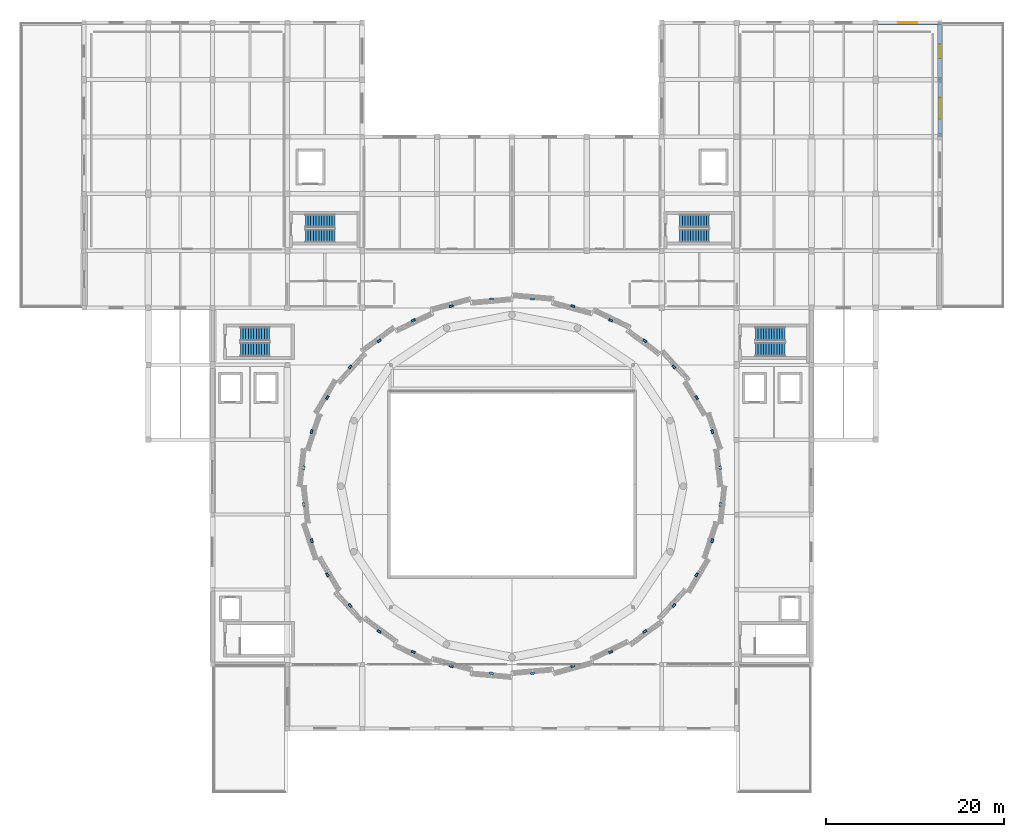
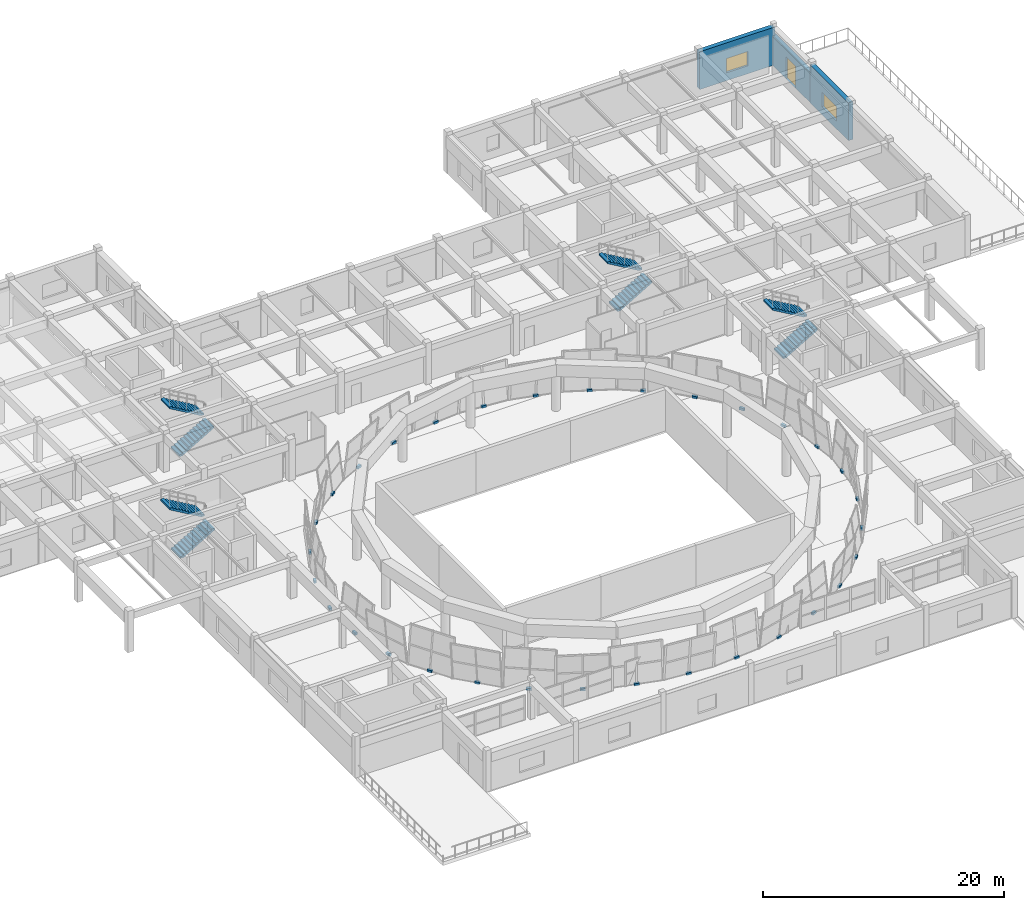
# One storey, part 33 of 40: 32 discrete accessories, 8 stair flights, 3 walls, 2 windows, 1 door, 3 openings, 4 elements without a shape of their own.
"""IFC4 building model written with IfcOpenShell, lengths in metres."""

from ifc_helpers import new_model, si_unit, direction, frame, frame_2d, origin, origin_2d, place, context, subcontext, project, spatial, polyline, rectangle, outline, extrude, material, layer, layer_set, type_object, element, fill, aggregate, save


model = new_model("IFC4")

# Units and contexts
model_context = context("Model", 3, precision=1e-05, world=origin(), true_north=direction((0.0, 1.0)))
body_context = subcontext(model_context, "Body", "Model", "MODEL_VIEW")
ifc_project = project(units=[si_unit("LENGTHUNIT", "METRE"), si_unit("AREAUNIT", "SQUARE_METRE"), si_unit("VOLUMEUNIT", "CUBIC_METRE"), si_unit("PLANEANGLEUNIT", "RADIAN"), si_unit("MASSUNIT", "GRAM", prefix="KILO")], contexts=[model_context])

# Site, building, storey
site_placement = place(None, origin())
site = spatial("IfcSite", under=ifc_project, at=site_placement, CompositionType="ELEMENT")
building_placement = place(site_placement, origin())
building = spatial("IfcBuilding", under=site, at=building_placement, Name="Korsvaeld Concert Hall", CompositionType="ELEMENT")
storey_placement = place(building_placement, frame((0.0, 0.0, 13.199951171875)))
storey = spatial("IfcBuildingStorey", under=building, at=storey_placement, Name="L03", CompositionType="ELEMENT", Elevation=13.199951171875)

# Wall, opening, door
ifc_material_1 = material(Name="Obernkirchener buff sandstone rainscreen on Concrete C35/45", Category="masonry")
ifc_layer_1 = layer(ifc_material_1, 0.389892578125)
ifc_layer_set_1 = layer_set([ifc_layer_1], Name="Obernkirchener buff sandstone rainscreen on Concrete C35/45")
wall_type_1 = type_object("IfcWallType", Name="WL-EXT-BUFF-390", PredefinedType="STANDARD", material=ifc_layer_set_1)
wall_1_placement = place(storey_placement, frame((132.0, 115.199951171875, 0.0), z_axis=(0.0, 0.0, 1.0), x_axis=(0.0, -1.0, 0.0)))
wall_1 = element("IfcWall", 1, at=wall_1_placement, inside=storey, type_object=wall_type_1, Name="Exterior sandstone wall L03-313", PredefinedType="STANDARD", context=body_context, shape_type="SweptSolid", body=[
    extrude(rectangle(XDim=6.39990234375, YDim=0.389892578125, at=frame_2d((3.199951171875, 0.0))), origin(), (0.0, 0.0, 1.0), 2.989990234375),
])
opening_1_placement = place(wall_1_placement, frame((2.39990234375, 0.0, 0.0)))
opening_1 = element("IfcOpeningElement", 2, at=opening_1_placement, cuts=wall_1, Name="Opening TD-02", PredefinedType="OPENING", context=body_context, shape_type="SweptSolid", body=[
    extrude(rectangle(XDim=1.60009765625, YDim=2.199951171875, at=frame_2d((0.800048828125, 1.10009765625))), frame((0.0, 0.205078125, 0.0), z_axis=(0.0, -1.0, 0.0), x_axis=(1.0, 0.0, 0.0)), (0.0, 0.0, 1.0), 0.409912109375),
])
ifc_material_2 = material(Name="Anodised bronze terrace door")
door_type = type_object("IfcDoorType", Name="DR-TER-160x220", OperationType="DOUBLE_DOOR_SINGLE_SWING", PredefinedType="DOOR", material=ifc_material_2)
door_placement = place(opening_1_placement, frame((1.60009765625, 0.0, 0.0), z_axis=(0.0, 0.0, 1.0), x_axis=(-1.0, 0.0, 0.0)))
door = element("IfcDoor", 3, at=door_placement, inside=storey, type_object=door_type, Name="Roof-garden terrace access door TER_L03_NE", OperationType="DOUBLE_DOOR_SINGLE_SWING", OverallHeight=2.199951171875, OverallWidth=1.60009765625, PredefinedType="DOOR", context=body_context, shape_type="SweptSolid", body=[
    extrude(rectangle(XDim=1.60009765625, YDim=2.199951171875, at=frame_2d((0.800048828125, 1.10009765625))), frame((0.0, 0.02490234375, 0.0), z_axis=(0.0, -1.0, 0.0), x_axis=(1.0, 0.0, 0.0)), (0.0, 0.0, 1.0), 0.050048828125),
])
fill(opening_1, door)

# Wall, opening, window
ifc_material_3 = material(Name="Bornholm Nexo rose-red sandstone rainscreen on Concrete C35/45", Category="masonry")
ifc_layer_2 = layer(ifc_material_3, 0.419921875)
ifc_layer_set_2 = layer_set([ifc_layer_2], Name="Bornholm Nexo rose-red sandstone rainscreen on Concrete C35/45")
wall_type_2 = type_object("IfcWallType", Name="WL-EXT-NEXO-420", PredefinedType="STANDARD", material=ifc_layer_set_2)
wall_2_placement = place(storey_placement, frame((124.800048828125, 115.199951171875, 0.0), z_axis=(0.0, 0.0, 1.0), x_axis=(1.0, 0.0, 0.0)))
wall_2 = element("IfcWall", 4, at=wall_2_placement, inside=storey, type_object=wall_type_2, Name="Exterior sandstone wall L03-312", PredefinedType="STANDARD", context=body_context, shape_type="SweptSolid", body=[
    extrude(rectangle(XDim=7.199951171875, YDim=0.419921875, at=frame_2d((3.60009765625, 0.0))), origin(), (0.0, 0.0, 1.0), 3.840087890625),
])
opening_2_placement = place(wall_2_placement, frame((2.550048828125, 0.0, 0.800048828125)))
opening_2 = element("IfcOpeningElement", 5, at=opening_2_placement, cuts=wall_2, Name="Opening WN-09", PredefinedType="OPENING", context=body_context, shape_type="SweptSolid", body=[
    extrude(rectangle(XDim=2.10009765625, YDim=1.449951171875, at=frame_2d((1.050048828125, 0.72509765625))), frame((0.0, 0.219970703125, 0.0), z_axis=(0.0, -1.0, 0.0), x_axis=(1.0, 0.0, 0.0)), (0.0, 0.0, 1.0), 0.43994140625),
])
ifc_material_4 = material(Name="Anodised bronze frame with acoustic triple glazing", Category="glass")
window_type_1 = type_object("IfcWindowType", Name="WIN-AC-210x145", PartitioningType="SINGLE_PANEL", PredefinedType="WINDOW", material=ifc_material_4)
window_1_placement = place(opening_2_placement, origin())
window_1 = element("IfcWindow", 6, at=window_1_placement, inside=storey, type_object=window_type_1, Name="Acoustic triple-glazed window L03-207", OverallHeight=1.449951171875, OverallWidth=2.10009765625, PartitioningType="SINGLE_PANEL", PredefinedType="WINDOW", context=body_context, shape_type="SweptSolid", body=[
    extrude(rectangle(XDim=2.10009765625, YDim=1.449951171875, at=frame_2d((1.050048828125, 0.72509765625))), frame((0.0, 0.030029296875, 0.0), z_axis=(0.0, -1.0, 0.0), x_axis=(1.0, 0.0, 0.0)), (0.0, 0.0, 1.0), 0.06005859375),
])
fill(opening_2, window_1)

wall_3_placement = place(storey_placement, frame((132.0, 108.800048828125, 0.0), z_axis=(0.0, 0.0, 1.0), x_axis=(0.0, -1.0, 0.0)))
wall_3 = element("IfcWall", 7, at=wall_3_placement, inside=storey, type_object=wall_type_2, Name="Exterior sandstone wall L03-314", PredefinedType="STANDARD", context=body_context, shape_type="SweptSolid", body=[
    extrude(rectangle(XDim=6.400146484375, YDim=0.419921875, at=frame_2d((3.2001953125, 0.0))), origin(), (0.0, 0.0, 1.0), 3.840087890625),
])
opening_3_placement = place(wall_3_placement, frame((2.0, 0.0, 0.800048828125)))
opening_3 = element("IfcOpeningElement", 8, at=opening_3_placement, cuts=wall_3, Name="Opening WN-10", PredefinedType="OPENING", context=body_context, shape_type="SweptSolid", body=[
    extrude(rectangle(XDim=2.39990234375, YDim=1.449951171875, at=frame_2d((1.199951171875, 0.72509765625))), frame((0.0, 0.219970703125, 0.0), z_axis=(0.0, -1.0, 0.0), x_axis=(1.0, 0.0, 0.0)), (0.0, 0.0, 1.0), 0.43994140625),
])
window_type_2 = type_object("IfcWindowType", Name="WIN-AC-240x145", PartitioningType="TRIPLE_PANEL_VERTICAL", PredefinedType="WINDOW", material=ifc_material_4)
window_2_placement = place(opening_3_placement, origin())
window_2 = element("IfcWindow", 9, at=window_2_placement, inside=storey, type_object=window_type_2, Name="Acoustic triple-glazed window L03-208", OverallHeight=1.449951171875, OverallWidth=2.39990234375, PartitioningType="TRIPLE_PANEL_VERTICAL", PredefinedType="WINDOW", context=body_context, shape_type="SweptSolid", body=[
    extrude(rectangle(XDim=2.39990234375, YDim=1.449951171875, at=frame_2d((1.199951171875, 0.72509765625))), frame((0.0, 0.030029296875, 0.0), z_axis=(0.0, -1.0, 0.0), x_axis=(1.0, 0.0, 0.0)), (0.0, 0.0, 1.0), 0.06005859375),
])
fill(opening_3, window_2)

# Stair, stair flights
ifc_material_5 = material(Name="Precast concrete C40/50", Category="concrete")
stair_type_1 = type_object("IfcStairType", Name="STR-HT-145-42", PredefinedType="HALF_TURN_STAIR", material=ifc_material_5)
stair_1_placement = place(storey_placement, origin())
stair_1 = element("IfcStair", 10, at=stair_1_placement, inside=storey, type_object=stair_type_1, Name="L03 ST-K5", PredefinedType="HALF_TURN_STAIR")
stair_flight_type_1 = type_object("IfcStairFlightType", Name="STF-STR-145-42", PredefinedType="STRAIGHT", material=ifc_material_5)
stair_flight_1_placement = place(storey_placement, frame((60.820068359375, 91.294921875, 0.0), z_axis=(0.0, 0.0, 1.0), x_axis=(1.0, 0.0, 0.0)))
stair_flight_1 = element("IfcStairFlight", 11, at=stair_flight_1_placement, type_object=stair_flight_type_1, Name="ST-K5 flight 1", NumberOfRisers=12, NumberOfTreads=11, PredefinedType="STRAIGHT", RiserHeight=0.175, TreadLength=0.3, context=body_context, shape_type="SweptSolid", body=[
    extrude(outline(polyline([(0.0, 0.0), (0.0, 0.175048828125), (0.300048828125, 0.175048828125), (0.300048828125, 0.35009765625), (0.60009765625, 0.35009765625), (0.60009765625, 0.52490234375), (0.89990234375, 0.52490234375), (0.89990234375, 0.699951171875), (1.199951171875, 0.699951171875), (1.199951171875, 0.875), (1.5, 0.875), (1.5, 1.050048828125), (1.800048828125, 1.050048828125), (1.800048828125, 1.22509765625), (2.10009765625, 1.22509765625), (2.10009765625, 1.39990234375), (2.39990234375, 1.39990234375), (2.39990234375, 1.574951171875), (2.699951171875, 1.574951171875), (2.699951171875, 1.75), (3.0, 1.75), (3.0, 1.925048828125), (3.300048828125, 1.925048828125), (3.300048828125, 2.10009765625), (3.300048828125, 1.75146484375), (0.297607421875, 0.0), (0.0, 0.0)])), frame((0.0, 0.72509765625, 0.0), z_axis=(0.0, -1.0, 0.0), x_axis=(1.0, 0.0, 0.0)), (0.0, 0.0, 1.0), 1.449951171875),
])
stair_flight_2_placement = place(storey_placement, frame((64.1201171875, 92.945068359375, 2.10009765625), z_axis=(0.0, 0.0, 1.0), x_axis=(-1.0, 0.0, 0.0)))
stair_flight_2 = element("IfcStairFlight", 12, at=stair_flight_2_placement, type_object=stair_flight_type_1, Name="ST-K5 flight 2", NumberOfRisers=12, NumberOfTreads=11, PredefinedType="STRAIGHT", RiserHeight=0.175, TreadLength=0.3, context=body_context, shape_type="SweptSolid", body=[
    extrude(outline(polyline([(0.0, 0.0), (0.0, 0.175048828125), (0.300048828125, 0.175048828125), (0.300048828125, 0.35009765625), (0.60009765625, 0.35009765625), (0.60009765625, 0.52490234375), (0.89990234375, 0.52490234375), (0.89990234375, 0.699951171875), (1.199951171875, 0.699951171875), (1.199951171875, 0.875), (1.5, 0.875), (1.5, 1.050048828125), (1.800048828125, 1.050048828125), (1.800048828125, 1.22509765625), (2.10009765625, 1.22509765625), (2.10009765625, 1.39990234375), (2.39990234375, 1.39990234375), (2.39990234375, 1.574951171875), (2.699951171875, 1.574951171875), (2.699951171875, 1.75), (3.0, 1.75), (3.0, 1.925048828125), (3.300048828125, 1.925048828125), (3.300048828125, 2.10009765625), (3.300048828125, 1.75146484375), (0.297607421875, 0.0), (0.0, 0.0)])), frame((0.0, 0.72509765625, 0.0), z_axis=(0.0, -1.0, 0.0), x_axis=(1.0, 0.0, 0.0)), (0.0, 0.0, 1.0), 1.449951171875),
])
aggregate(stair_1, [stair_flight_1, stair_flight_2])

stair_2_placement = place(storey_placement, origin())
stair_2 = element("IfcStair", 13, at=stair_2_placement, inside=storey, type_object=stair_type_1, Name="L03 ST-K6", PredefinedType="HALF_TURN_STAIR")
stair_flight_3_placement = place(storey_placement, frame((102.820068359375, 91.294921875, 0.0), z_axis=(0.0, 0.0, 1.0), x_axis=(1.0, 0.0, 0.0)))
stair_flight_3 = element("IfcStairFlight", 14, at=stair_flight_3_placement, type_object=stair_flight_type_1, Name="ST-K6 flight 1", NumberOfRisers=12, NumberOfTreads=11, PredefinedType="STRAIGHT", RiserHeight=0.175, TreadLength=0.3, context=body_context, shape_type="SweptSolid", body=[
    extrude(outline(polyline([(0.0, 0.0), (0.0, 0.175048828125), (0.300048828125, 0.175048828125), (0.300048828125, 0.35009765625), (0.60009765625, 0.35009765625), (0.60009765625, 0.52490234375), (0.89990234375, 0.52490234375), (0.89990234375, 0.699951171875), (1.199951171875, 0.699951171875), (1.199951171875, 0.875), (1.5, 0.875), (1.5, 1.050048828125), (1.800048828125, 1.050048828125), (1.800048828125, 1.22509765625), (2.10009765625, 1.22509765625), (2.10009765625, 1.39990234375), (2.39990234375, 1.39990234375), (2.39990234375, 1.574951171875), (2.699951171875, 1.574951171875), (2.699951171875, 1.75), (3.0, 1.75), (3.0, 1.925048828125), (3.300048828125, 1.925048828125), (3.300048828125, 2.10009765625), (3.300048828125, 1.75146484375), (0.297607421875, 0.0), (0.0, 0.0)])), frame((0.0, 0.72509765625, 0.0), z_axis=(0.0, -1.0, 0.0), x_axis=(1.0, 0.0, 0.0)), (0.0, 0.0, 1.0), 1.449951171875),
])
stair_flight_4_placement = place(storey_placement, frame((106.1201171875, 92.945068359375, 2.10009765625), z_axis=(0.0, 0.0, 1.0), x_axis=(-1.0, 0.0, 0.0)))
stair_flight_4 = element("IfcStairFlight", 15, at=stair_flight_4_placement, type_object=stair_flight_type_1, Name="ST-K6 flight 2", NumberOfRisers=12, NumberOfTreads=11, PredefinedType="STRAIGHT", RiserHeight=0.175, TreadLength=0.3, context=body_context, shape_type="SweptSolid", body=[
    extrude(outline(polyline([(0.0, 0.0), (0.0, 0.175048828125), (0.300048828125, 0.175048828125), (0.300048828125, 0.35009765625), (0.60009765625, 0.35009765625), (0.60009765625, 0.52490234375), (0.89990234375, 0.52490234375), (0.89990234375, 0.699951171875), (1.199951171875, 0.699951171875), (1.199951171875, 0.875), (1.5, 0.875), (1.5, 1.050048828125), (1.800048828125, 1.050048828125), (1.800048828125, 1.22509765625), (2.10009765625, 1.22509765625), (2.10009765625, 1.39990234375), (2.39990234375, 1.39990234375), (2.39990234375, 1.574951171875), (2.699951171875, 1.574951171875), (2.699951171875, 1.75), (3.0, 1.75), (3.0, 1.925048828125), (3.300048828125, 1.925048828125), (3.300048828125, 2.10009765625), (3.300048828125, 1.75146484375), (0.297607421875, 0.0), (0.0, 0.0)])), frame((0.0, 0.72509765625, 0.0), z_axis=(0.0, -1.0, 0.0), x_axis=(1.0, 0.0, 0.0)), (0.0, 0.0, 1.0), 1.449951171875),
])
aggregate(stair_2, [stair_flight_3, stair_flight_4])

stair_type_2 = type_object("IfcStairType", Name="STR-HT-155-42", PredefinedType="HALF_TURN_STAIR", material=ifc_material_5)
stair_3_placement = place(storey_placement, origin())
stair_3 = element("IfcStair", 16, at=stair_3_placement, inside=storey, type_object=stair_type_2, Name="L03 ST-K1", PredefinedType="HALF_TURN_STAIR")
stair_flight_type_2 = type_object("IfcStairFlightType", Name="STF-STR-155-42", PredefinedType="STRAIGHT", material=ifc_material_5)
stair_flight_5_placement = place(storey_placement, frame((53.52001953125, 78.544921875, 0.0), z_axis=(0.0, 0.0, 1.0), x_axis=(1.0, 0.0, 0.0)))
stair_flight_5 = element("IfcStairFlight", 17, at=stair_flight_5_placement, type_object=stair_flight_type_2, Name="ST-K1 flight 1", NumberOfRisers=12, NumberOfTreads=11, PredefinedType="STRAIGHT", RiserHeight=0.175, TreadLength=0.3, context=body_context, shape_type="SweptSolid", body=[
    extrude(outline(polyline([(0.0, 0.0), (0.0, 0.175048828125), (0.300048828125, 0.175048828125), (0.300048828125, 0.35009765625), (0.60009765625, 0.35009765625), (0.60009765625, 0.52490234375), (0.89990234375, 0.52490234375), (0.89990234375, 0.699951171875), (1.199951171875, 0.699951171875), (1.199951171875, 0.875), (1.5, 0.875), (1.5, 1.050048828125), (1.800048828125, 1.050048828125), (1.800048828125, 1.22509765625), (2.10009765625, 1.22509765625), (2.10009765625, 1.39990234375), (2.39990234375, 1.39990234375), (2.39990234375, 1.574951171875), (2.699951171875, 1.574951171875), (2.699951171875, 1.75), (3.0, 1.75), (3.0, 1.925048828125), (3.300048828125, 1.925048828125), (3.300048828125, 2.10009765625), (3.300048828125, 1.75146484375), (0.297607421875, 0.0), (0.0, 0.0)])), frame((0.0, 0.77490234375, 0.0), z_axis=(0.0, -1.0, 0.0), x_axis=(1.0, 0.0, 0.0)), (0.0, 0.0, 1.0), 1.550048828125),
])
stair_flight_6_placement = place(storey_placement, frame((56.820068359375, 80.294921875, 2.10009765625), z_axis=(0.0, 0.0, 1.0), x_axis=(-1.0, 0.0, 0.0)))
stair_flight_6 = element("IfcStairFlight", 18, at=stair_flight_6_placement, type_object=stair_flight_type_2, Name="ST-K1 flight 2", NumberOfRisers=12, NumberOfTreads=11, PredefinedType="STRAIGHT", RiserHeight=0.175, TreadLength=0.3, context=body_context, shape_type="SweptSolid", body=[
    extrude(outline(polyline([(0.0, 0.0), (0.0, 0.175048828125), (0.300048828125, 0.175048828125), (0.300048828125, 0.35009765625), (0.60009765625, 0.35009765625), (0.60009765625, 0.52490234375), (0.89990234375, 0.52490234375), (0.89990234375, 0.699951171875), (1.199951171875, 0.699951171875), (1.199951171875, 0.875), (1.5, 0.875), (1.5, 1.050048828125), (1.800048828125, 1.050048828125), (1.800048828125, 1.22509765625), (2.10009765625, 1.22509765625), (2.10009765625, 1.39990234375), (2.39990234375, 1.39990234375), (2.39990234375, 1.574951171875), (2.699951171875, 1.574951171875), (2.699951171875, 1.75), (3.0, 1.75), (3.0, 1.925048828125), (3.300048828125, 1.925048828125), (3.300048828125, 2.10009765625), (3.300048828125, 1.75146484375), (0.297607421875, 0.0), (0.0, 0.0)])), frame((0.0, 0.77490234375, 0.0), z_axis=(0.0, -1.0, 0.0), x_axis=(1.0, 0.0, 0.0)), (0.0, 0.0, 1.0), 1.550048828125),
])
aggregate(stair_3, [stair_flight_5, stair_flight_6])

stair_4_placement = place(storey_placement, origin())
stair_4 = element("IfcStair", 19, at=stair_4_placement, inside=storey, type_object=stair_type_2, Name="L03 ST-K2", PredefinedType="HALF_TURN_STAIR")
stair_flight_7_placement = place(storey_placement, frame((111.320068359375, 78.544921875, 0.0), z_axis=(0.0, 0.0, 1.0), x_axis=(1.0, 0.0, 0.0)))
stair_flight_7 = element("IfcStairFlight", 20, at=stair_flight_7_placement, type_object=stair_flight_type_2, Name="ST-K2 flight 1", NumberOfRisers=12, NumberOfTreads=11, PredefinedType="STRAIGHT", RiserHeight=0.175, TreadLength=0.3, context=body_context, shape_type="SweptSolid", body=[
    extrude(outline(polyline([(0.0, 0.0), (0.0, 0.175048828125), (0.300048828125, 0.175048828125), (0.300048828125, 0.35009765625), (0.60009765625, 0.35009765625), (0.60009765625, 0.52490234375), (0.89990234375, 0.52490234375), (0.89990234375, 0.699951171875), (1.199951171875, 0.699951171875), (1.199951171875, 0.875), (1.5, 0.875), (1.5, 1.050048828125), (1.800048828125, 1.050048828125), (1.800048828125, 1.22509765625), (2.10009765625, 1.22509765625), (2.10009765625, 1.39990234375), (2.39990234375, 1.39990234375), (2.39990234375, 1.574951171875), (2.699951171875, 1.574951171875), (2.699951171875, 1.75), (3.0, 1.75), (3.0, 1.925048828125), (3.300048828125, 1.925048828125), (3.300048828125, 2.10009765625), (3.300048828125, 1.75146484375), (0.297607421875, 0.0), (0.0, 0.0)])), frame((0.0, 0.77490234375, 0.0), z_axis=(0.0, -1.0, 0.0), x_axis=(1.0, 0.0, 0.0)), (0.0, 0.0, 1.0), 1.550048828125),
])
stair_flight_8_placement = place(storey_placement, frame((114.6201171875, 80.294921875, 2.10009765625), z_axis=(0.0, 0.0, 1.0), x_axis=(-1.0, 0.0, 0.0)))
stair_flight_8 = element("IfcStairFlight", 21, at=stair_flight_8_placement, type_object=stair_flight_type_2, Name="ST-K2 flight 2", NumberOfRisers=12, NumberOfTreads=11, PredefinedType="STRAIGHT", RiserHeight=0.175, TreadLength=0.3, context=body_context, shape_type="SweptSolid", body=[
    extrude(outline(polyline([(0.0, 0.0), (0.0, 0.175048828125), (0.300048828125, 0.175048828125), (0.300048828125, 0.35009765625), (0.60009765625, 0.35009765625), (0.60009765625, 0.52490234375), (0.89990234375, 0.52490234375), (0.89990234375, 0.699951171875), (1.199951171875, 0.699951171875), (1.199951171875, 0.875), (1.5, 0.875), (1.5, 1.050048828125), (1.800048828125, 1.050048828125), (1.800048828125, 1.22509765625), (2.10009765625, 1.22509765625), (2.10009765625, 1.39990234375), (2.39990234375, 1.39990234375), (2.39990234375, 1.574951171875), (2.699951171875, 1.574951171875), (2.699951171875, 1.75), (3.0, 1.75), (3.0, 1.925048828125), (3.300048828125, 1.925048828125), (3.300048828125, 2.10009765625), (3.300048828125, 1.75146484375), (0.297607421875, 0.0), (0.0, 0.0)])), frame((0.0, 0.77490234375, 0.0), z_axis=(0.0, -1.0, 0.0), x_axis=(1.0, 0.0, 0.0)), (0.0, 0.0, 1.0), 1.550048828125),
])
aggregate(stair_4, [stair_flight_7, stair_flight_8])

# Discrete accessories
ifc_material_6 = material(Name="Steel S355J2", Category="steel")
discrete_accessory_type = type_object("IfcDiscreteAccessoryType", Name="ACC-BRACKET-CW", PredefinedType="BRACKET", material=ifc_material_6)
for number, where, z_axis, x_axis, name in (
    (22, (107.373291015625, 65.267822265625, -0.0400390625), (0.0, 0.0, 1.0), (-0.109040368753, 0.994037322228, 0.0), "Crystal shell base anchor bracket L03 F01"),
    (23, (106.47509765625, 69.324462890625, -0.0400390625), (0.0, 0.0, 1.0), (-0.319951634986, 0.947433876991, 0.0), "Crystal shell base anchor bracket L03 F02"),
    (24, (104.713134765625, 73.1455078125, -0.0400390625), (0.0, 0.0, 1.0), (-0.511293086077, 0.859406411501, 0.0), "Crystal shell base anchor bracket L03 F03"),
    (25, (102.1552734375, 76.58447265625, -0.0400390625), (0.0, 0.0, 1.0), (-0.674431262084, 0.738337641411, 0.0), "Crystal shell base anchor bracket L03 F04"),
    (26, (98.899658203125, 79.5087890625, -0.0400390625), (0.0, 0.0, 1.0), (-0.804893797356, 0.593418886604, 0.0), "Crystal shell base anchor bracket L03 F05"),
    (27, (95.0712890625, 81.806640625, -0.0400390625), (0.0, 0.0, 1.0), (-0.901455117112, 0.43287258152, 0.0), "Crystal shell base anchor bracket L03 F06"),
    (28, (90.817626953125, 83.389404296875, -0.0400390625), (0.0, 0.0, 1.0), (-0.964833216741, 0.262862823299, 0.0), "Crystal shell base anchor bracket L03 F07"),
    (29, (86.302001953125, 84.1962890625, -0.0400390625), (0.0, 0.0, 1.0), (-0.996102882603, 0.088198907417, 0.0), "Crystal shell base anchor bracket L03 F08"),
    (30, (81.697998046875, 84.1962890625, -0.0400390625), (0.0, 0.0, 1.0), (-0.996102882603, -0.088198907417, 0.0), "Crystal shell base anchor bracket L03 F09"),
    (31, (77.182373046875, 83.389404296875, -0.0400390625), (0.0, 0.0, 1.0), (-0.964833216741, -0.262862823299, 0.0), "Crystal shell base anchor bracket L03 F10"),
    (32, (72.9287109375, 81.806640625, -0.0400390625), (0.0, 0.0, 1.0), (-0.901455117112, -0.43287258152, 0.0), "Crystal shell base anchor bracket L03 F11"),
    (33, (69.100341796875, 79.5087890625, -0.0400390625), (0.0, 0.0, 1.0), (-0.804893797356, -0.593418886604, 0.0), "Crystal shell base anchor bracket L03 F12"),
    (34, (65.8447265625, 76.58447265625, -0.0400390625), (0.0, 0.0, 1.0), (-0.674431262084, -0.738337641411, 0.0), "Crystal shell base anchor bracket L03 F13"),
    (35, (63.286865234375, 73.1455078125, -0.0400390625), (0.0, 0.0, 1.0), (-0.511293086077, -0.859406411501, 0.0), "Crystal shell base anchor bracket L03 F14"),
    (36, (61.52490234375, 69.324462890625, -0.0400390625), (0.0, 0.0, 1.0), (-0.319951634986, -0.947433876991, 0.0), "Crystal shell base anchor bracket L03 F15"),
    (37, (60.626708984375, 65.267822265625, -0.0400390625), (0.0, 0.0, 1.0), (-0.109040368753, -0.994037322228, 0.0), "Crystal shell base anchor bracket L03 F16"),
    (38, (60.626708984375, 61.132080078125, -0.0400390625), (0.0, 0.0, 1.0), (0.109040368753, -0.994037322228, 0.0), "Crystal shell base anchor bracket L03 F17"),
    (39, (61.52490234375, 57.07568359375, -0.0400390625), (0.0, 0.0, 1.0), (0.319951634986, -0.947433876991, 0.0), "Crystal shell base anchor bracket L03 F18"),
    (40, (63.286865234375, 53.25439453125, -0.0400390625), (0.0, 0.0, 1.0), (0.511293086077, -0.859406411501, 0.0), "Crystal shell base anchor bracket L03 F19"),
    (41, (65.8447265625, 49.815673828125, -0.0400390625), (0.0, 0.0, 1.0), (0.674431262084, -0.738337641411, 0.0), "Crystal shell base anchor bracket L03 F20"),
    (42, (69.100341796875, 46.89111328125, -0.0400390625), (0.0, 0.0, 1.0), (0.804893797356, -0.593418886604, 0.0), "Crystal shell base anchor bracket L03 F21"),
    (43, (72.9287109375, 44.59326171875, -0.0400390625), (0.0, 0.0, 1.0), (0.901455117112, -0.43287258152, 0.0), "Crystal shell base anchor bracket L03 F22"),
    (44, (77.182373046875, 43.010498046875, -0.0400390625), (0.0, 0.0, 1.0), (0.964833216741, -0.262862823299, 0.0), "Crystal shell base anchor bracket L03 F23"),
    (45, (81.697998046875, 42.20361328125, -0.0400390625), (0.0, 0.0, 1.0), (0.996102882603, -0.088198907417, 0.0), "Crystal shell base anchor bracket L03 F24"),
    (46, (86.302001953125, 42.20361328125, -0.0400390625), (0.0, 0.0, 1.0), (0.996102882603, 0.088198907417, 0.0), "Crystal shell base anchor bracket L03 F25"),
    (47, (90.817626953125, 43.010498046875, -0.0400390625), (0.0, 0.0, 1.0), (0.964833216741, 0.262862823299, 0.0), "Crystal shell base anchor bracket L03 F26"),
    (48, (95.0712890625, 44.59326171875, -0.0400390625), (0.0, 0.0, 1.0), (0.901455117112, 0.43287258152, 0.0), "Crystal shell base anchor bracket L03 F27"),
    (49, (98.899658203125, 46.89111328125, -0.0400390625), (0.0, 0.0, 1.0), (0.804893797356, 0.593418886604, 0.0), "Crystal shell base anchor bracket L03 F28"),
    (50, (102.1552734375, 49.815673828125, -0.0400390625), (0.0, 0.0, 1.0), (0.674431262084, 0.738337641411, 0.0), "Crystal shell base anchor bracket L03 F29"),
    (51, (104.713134765625, 53.25439453125, -0.0400390625), (0.0, 0.0, 1.0), (0.511293086077, 0.859406411501, 0.0), "Crystal shell base anchor bracket L03 F30"),
    (52, (106.47509765625, 57.07568359375, -0.0400390625), (0.0, 0.0, 1.0), (0.319951634986, 0.947433876991, 0.0), "Crystal shell base anchor bracket L03 F31"),
    (53, (107.373291015625, 61.132080078125, -0.0400390625), (0.0, 0.0, 1.0), (0.109040368753, 0.994037322228, 0.0), "Crystal shell base anchor bracket L03 F32"),
):
    element("IfcDiscreteAccessory", number, at=place(storey_placement, frame(where, z_axis=z_axis, x_axis=x_axis)), inside=storey, type_object=discrete_accessory_type, Name=name, PredefinedType="BRACKET", context=body_context, shape_type="SweptSolid", body=[
        extrude(rectangle(XDim=0.449951171875, YDim=0.239990234375, at=origin_2d()), origin(), (0.0, 0.0, 1.0), 0.239990234375),
    ])

save(model, "model.ifc")
